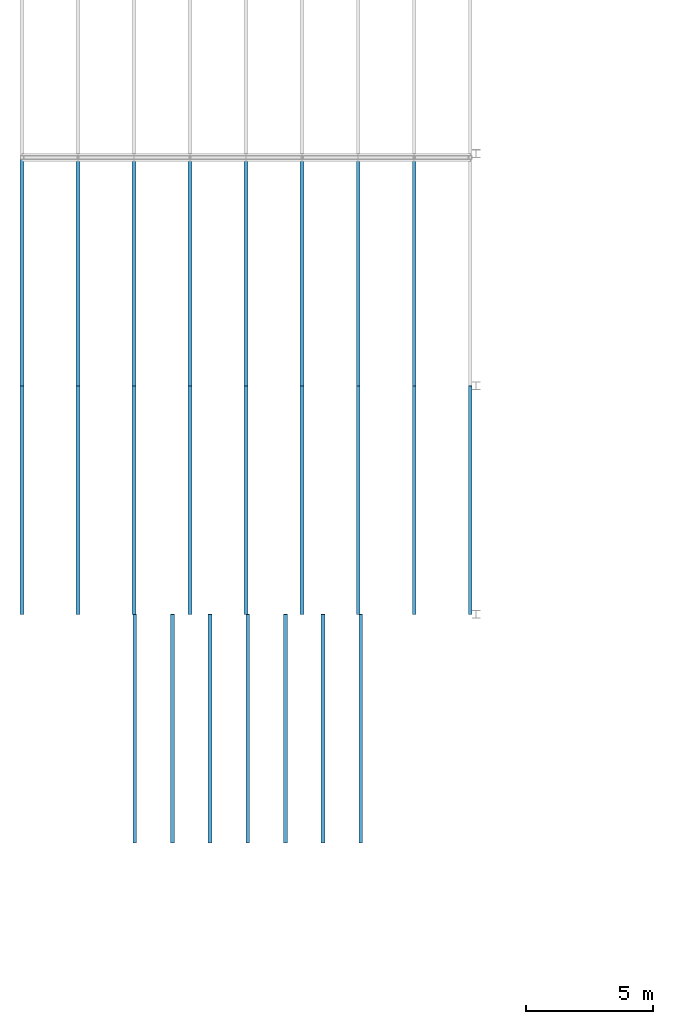
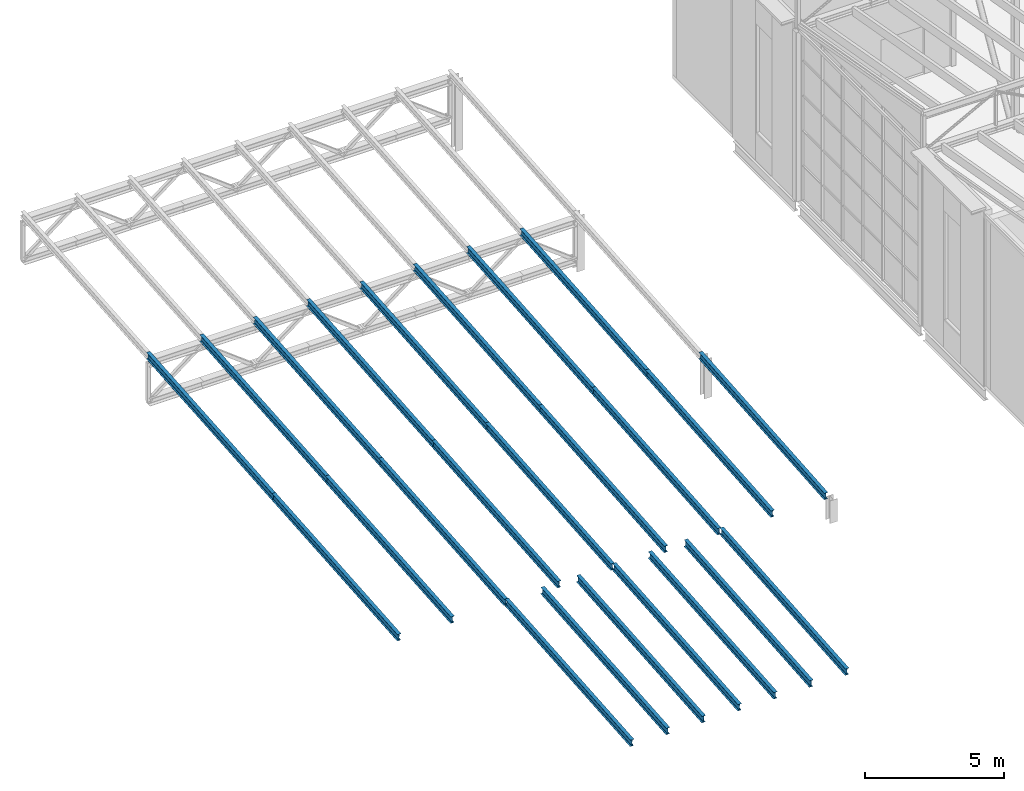
# One storey, part 7 of 90: 24 members.
"""IFC4 building model written with IfcOpenShell, lengths in metres."""

from ifc_helpers import new_model, si_unit, direction, frame, origin, origin_2d, place, context, subcontext, project, spatial, i_section, extrude, material, material_profile, profile_set, type_object, element, save


model = new_model("IFC4")

# Units and contexts
model_context = context("Model", 3, precision=1e-05, world=origin(), true_north=direction((0.0, 1.0)))
body_context = subcontext(model_context, "Body", "Model", "MODEL_VIEW")
ifc_project = project(units=[si_unit("LENGTHUNIT", "METRE"), si_unit("AREAUNIT", "SQUARE_METRE"), si_unit("VOLUMEUNIT", "CUBIC_METRE"), si_unit("PLANEANGLEUNIT", "RADIAN"), si_unit("MASSUNIT", "GRAM", prefix="KILO")], contexts=[model_context])

# Site, building, storey
site_placement = place(None, origin())
site = spatial("IfcSite", under=ifc_project, at=site_placement, CompositionType="ELEMENT")
building_placement = place(site_placement, origin())
building = spatial("IfcBuilding", under=site, at=building_placement, Name="Halyard Row Museum", CompositionType="ELEMENT")
storey_placement = place(building_placement, frame((0.0, 0.0, 13.39990234375)))
storey = spatial("IfcBuildingStorey", under=building, at=storey_placement, Name="L03", CompositionType="ELEMENT", Elevation=13.39990234375)

# Members
ifc_material = material(Name="Steel Grade 300", Category="steel")
ifc_material_profile = material_profile(ifc_material, i_section(OverallWidth=0.14892578125, OverallDepth=0.298095703125, WebThickness=0.005615234375, FlangeThickness=0.008056640625, FilletRadius=0.012939453125, at=origin_2d()), Name="310UB32.0")
ifc_profile_set = profile_set([ifc_material_profile], Name="Steel Grade 300")
member_type = type_object("IfcMemberType", Name="Hall roof purlin 310UB32.0", PredefinedType="PURLIN", material=ifc_profile_set)
for number, where, z_axis, x_axis, name in (
    (1, (0.10009765625, 18.0, 1.14013671875), (0.0, 0.996815536467, 0.079741998075), (-1.0, 0.0, 0.0), "Hall roof purlin H1 1"),
    (2, (2.30859375, 18.0, 1.14013671875), (0.0, 0.996815536467, 0.079741998075), (-1.0, 0.0, 0.0), "Hall roof purlin H1 2"),
    (3, (4.517333984375, 18.0, 1.14013671875), (0.0, 0.996815536467, 0.079741998075), (-1.0, 0.0, 0.0), "Hall roof purlin H1 3"),
    (4, (6.72607421875, 18.0, 1.14013671875), (0.0, 0.996815536467, 0.079741998075), (-1.0, 0.0, 0.0), "Hall roof purlin H1 4"),
    (5, (8.934814453125, 18.0, 1.14013671875), (0.0, 0.996815536467, 0.079741998075), (-1.0, 0.0, 0.0), "Hall roof purlin H1 5"),
    (6, (11.1435546875, 18.0, 1.14013671875), (0.0, 0.996815536467, 0.079741998075), (-1.0, 0.0, 0.0), "Hall roof purlin H1 6"),
    (7, (13.35205078125, 18.0, 1.14013671875), (0.0, 0.996815536467, 0.079741998075), (-1.0, 0.0, 0.0), "Hall roof purlin H1 7"),
    (8, (15.560791015625, 18.0, 1.14013671875), (0.0, 0.996815536467, 0.079741998075), (-1.0, 0.0, 0.0), "Hall roof purlin H1 8"),
    (9, (17.76953125, 18.0, 1.14013671875), (0.0, 0.996815536467, 0.079741998075), (-1.0, 0.0, 0.0), "Hall roof purlin H1 9"),
    (10, (0.10009765625, 27.0, 1.860107421875), (0.0, 0.996815536467, 0.079741998075), (-1.0, 0.0, 0.0), "Hall roof purlin H2 1"),
    (11, (2.30859375, 27.0, 1.860107421875), (0.0, 0.996815536467, 0.079741998075), (-1.0, 0.0, 0.0), "Hall roof purlin H2 2"),
    (12, (4.517333984375, 27.0, 1.860107421875), (0.0, 0.996815536467, 0.079741998075), (-1.0, 0.0, 0.0), "Hall roof purlin H2 3"),
    (13, (6.72607421875, 27.0, 1.860107421875), (0.0, 0.996815536467, 0.079741998075), (-1.0, 0.0, 0.0), "Hall roof purlin H2 4"),
    (14, (8.934814453125, 27.0, 1.860107421875), (0.0, 0.996815536467, 0.079741998075), (-1.0, 0.0, 0.0), "Hall roof purlin H2 5"),
    (15, (11.1435546875, 27.0, 1.860107421875), (0.0, 0.996815536467, 0.079741998075), (-1.0, 0.0, 0.0), "Hall roof purlin H2 6"),
    (16, (13.35205078125, 27.0, 1.860107421875), (0.0, 0.996815536467, 0.079741998075), (-1.0, 0.0, 0.0), "Hall roof purlin H2 7"),
    (17, (15.560791015625, 27.0, 1.860107421875), (0.0, 0.996815536467, 0.079741998075), (-1.0, 0.0, 0.0), "Hall roof purlin H2 8"),
    (18, (4.550048828125, 9.0, 0.420166015625), (0.0, 0.996815536467, 0.079741998075), (-1.0, 0.0, 0.0), "Hall roof purlin F2 1"),
    (19, (6.033447265625, 9.0, 0.420166015625), (0.0, 0.996815536467, 0.079741998075), (-1.0, 0.0, 0.0), "Hall roof purlin F2 2"),
    (20, (7.5166015625, 9.0, 0.420166015625), (0.0, 0.996815536467, 0.079741998075), (-1.0, 0.0, 0.0), "Hall roof purlin F2 3"),
    (21, (9.0, 9.0, 0.420166015625), (0.0, 0.996815536467, 0.079741998075), (-1.0, 0.0, 0.0), "Hall roof purlin F2 4"),
    (22, (10.4833984375, 9.0, 0.420166015625), (0.0, 0.996815536467, 0.079741998075), (-1.0, 0.0, 0.0), "Hall roof purlin F2 5"),
    (23, (11.966552734375, 9.0, 0.420166015625), (0.0, 0.996815536467, 0.079741998075), (-1.0, 0.0, 0.0), "Hall roof purlin F2 6"),
    (24, (13.449951171875, 9.0, 0.420166015625), (0.0, 0.996815536467, 0.079741998075), (-1.0, 0.0, 0.0), "Hall roof purlin F2 7"),
):
    element("IfcMember", number, at=place(storey_placement, frame(where, z_axis=z_axis, x_axis=x_axis)), inside=storey, type_object=member_type, Name=name, PredefinedType="PURLIN", context=body_context, shape_type="SweptSolid", body=[
        extrude(i_section(OverallWidth=0.14892578125, OverallDepth=0.298095703125, WebThickness=0.005615234375, FlangeThickness=0.008056640625, FilletRadius=0.012939453125, at=origin_2d()), origin(), (0.0, 0.0, 1.0), 9.02880859375),
    ])

save(model, "model.ifc")
